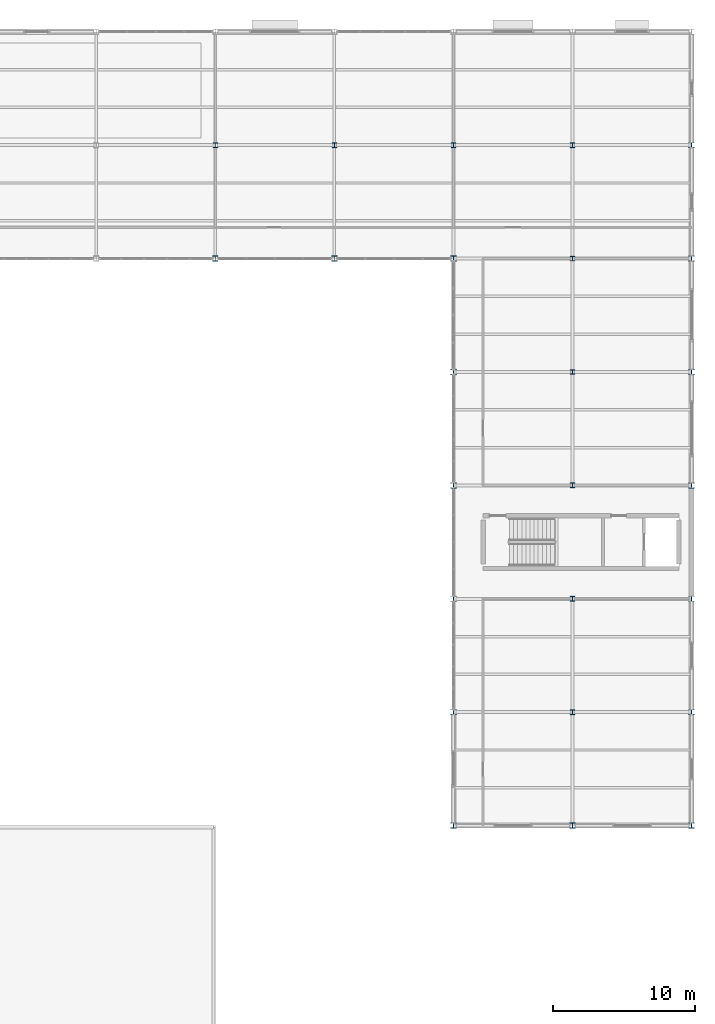
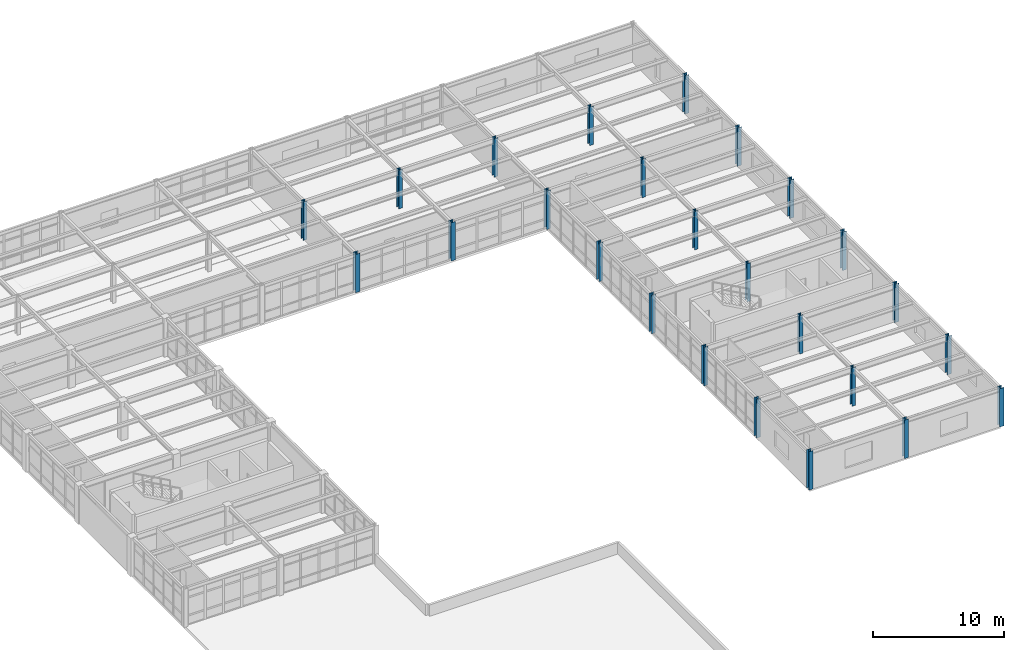
# One storey, part 8 of 96: 25 columns.
"""IFC4 building model written with IfcOpenShell, lengths in metres."""

import ifcopenshell
import ifcopenshell.guid

model = None  # the IFC model being written
_history = None  # IfcOwnerHistory: only IFC2X3 demands one
_inside = {}  # id of a spatial element -> (the spatial element, [elements in it])
_under = {}  # id of a project, library or spatial element -> (it, [spatial elements below it])
_declared = {}  # id of a project -> (the project, [libraries it declares])
_typed = {}  # id of a type object -> (the type object, [elements of that type])
_made_of = {}  # id of a material, layer set ... -> (it, [elements and type objects made of it])


def new_model(schema):
    """Start an empty IFC model of exactly this schema.

    Asked for "IFC4X3", IfcOpenShell would pick the latest addendum, in which some entities
    have other attributes; the version numbers below select the first issue.
    IFC2X3 requires an IfcOwnerHistory on every rooted entity: one is made here for all.
    """
    global model, _history
    if schema == "IFC4X3":
        model = ifcopenshell.file(schema_version=(4, 3, 0, 0))
    else:
        model = ifcopenshell.file(schema=schema)
    _inside.clear()
    _under.clear()
    _declared.clear()
    _typed.clear()
    _made_of.clear()
    _history = None
    if model.schema == "IFC2X3":
        org = make("IfcOrganization", Name="unknown")
        user = make(
            "IfcPersonAndOrganization",
            ThePerson=make("IfcPerson", FamilyName="unknown"),
            TheOrganization=org,
        )
        app = make(
            "IfcApplication",
            ApplicationDeveloper=org,
            Version="unknown",
            ApplicationFullName="unknown",
            ApplicationIdentifier="unknown",
        )
        _history = make(
            "IfcOwnerHistory",
            OwningUser=user,
            OwningApplication=app,
            ChangeAction="ADDED",
            CreationDate=0,
        )
    return model


def make(cls, **values):
    """One entity of the class cls with the attributes given. An attribute that is None is left unset."""
    return model.create_entity(
        cls, **{name: value for name, value in values.items() if value is not None}
    )


def rooted(cls, **values):
    """An entity with a GlobalId (a new one), such as an element, a storey or a relation."""
    return make(cls, GlobalId=ifcopenshell.guid.new(), OwnerHistory=_history, **values)


def si_unit(unit_type, name, prefix=None):
    """IfcSIUnit, for example si_unit("LENGTHUNIT", "METRE", prefix="MILLI")."""
    return make("IfcSIUnit", UnitType=unit_type, Prefix=prefix, Name=name)


def assignment(units):
    """IfcUnitAssignment: the units of a project."""
    return None if units is None else make("IfcUnitAssignment", Units=units)


def point(xyz):
    """IfcCartesianPoint."""
    return None if xyz is None else make("IfcCartesianPoint", Coordinates=xyz)


def direction(xyz):
    """IfcDirection."""
    return None if xyz is None else make("IfcDirection", DirectionRatios=xyz)


def frame(location, z_axis=None, x_axis=None):
    """IfcAxis2Placement3D, a coordinate frame: its origin and axes. An axis left out is left unset."""
    return make(
        "IfcAxis2Placement3D",
        Location=point(location),
        Axis=direction(z_axis),
        RefDirection=direction(x_axis),
    )


def frame_2d(location, x_axis=None):
    """IfcAxis2Placement2D, a coordinate frame in the plane: its origin and x axis."""
    return make(
        "IfcAxis2Placement2D", Location=point(location), RefDirection=direction(x_axis)
    )


def origin():
    """The frame at (0, 0, 0) with its axes left unset."""
    return frame((0.0, 0.0, 0.0))


def origin_2d():
    """The frame at (0, 0) in the plane with its x axis left unset."""
    return frame_2d((0.0, 0.0))


def place(relative_to, where):
    """IfcLocalPlacement: puts the frame where relative to a parent placement (None: the world)."""
    return make(
        "IfcLocalPlacement", PlacementRelTo=relative_to, RelativePlacement=where
    )


def context(
    kind, dimensions, precision=None, world=None, true_north=None, identifier=None
):
    """IfcGeometricRepresentationContext, for example the 3D "Model" context."""
    return make(
        "IfcGeometricRepresentationContext",
        ContextIdentifier=identifier,
        ContextType=kind,
        CoordinateSpaceDimension=dimensions,
        Precision=precision,
        WorldCoordinateSystem=world,
        TrueNorth=true_north,
    )


def subcontext(parent, identifier, kind, view, scale=None):
    """IfcGeometricRepresentationSubContext, for example "Body" below "Model"."""
    return make(
        "IfcGeometricRepresentationSubContext",
        ContextIdentifier=identifier,
        ContextType=kind,
        ParentContext=parent,
        TargetScale=scale,
        TargetView=view,
    )


def project(units=None, contexts=None):
    """IfcProject with its units and contexts."""
    return rooted(
        "IfcProject",
        Name="project",
        RepresentationContexts=contexts,
        UnitsInContext=assignment(units),
    )


def spatial(cls, under=None, at=None, **own):
    """A site, building, storey or space (cls), placed at a placement, below another one or the project."""
    s = rooted(cls, ObjectPlacement=at, **own)
    if under is not None:
        _under.setdefault(under.id(), (under, []))[1].append(s)
    return s


def profile(cls, at=None, kind="AREA", **sizes):
    """A parametric profile (cls). Its sizes go by their IFC names, for example OverallWidth=200.0."""
    return make(cls, ProfileType=kind, Position=at, **sizes)


def i_section(**sizes):
    """IfcIShapeProfileDef."""
    return profile("IfcIShapeProfileDef", **sizes)


def extrude(swept, where, along, depth):
    """IfcExtrudedAreaSolid: the profile swept, set in the frame where, extruded along a direction by depth."""
    return make(
        "IfcExtrudedAreaSolid",
        SweptArea=swept,
        Position=where,
        ExtrudedDirection=direction(along),
        Depth=depth,
    )


def shape(context_of_items, identifier, shape_type, items):
    """IfcShapeRepresentation: the items that make up one representation, for example the "Body"."""
    return make(
        "IfcShapeRepresentation",
        ContextOfItems=context_of_items,
        RepresentationIdentifier=identifier,
        RepresentationType=shape_type,
        Items=items,
    )


def material(Name=None, Category=None):
    """IfcMaterial."""
    return make("IfcMaterial", Name=Name, Category=Category)


def material_profile(
    of_material, cross_section, Name=None, Category=None, Priority=None
):
    """IfcMaterialProfile: a cross section and its material."""
    return make(
        "IfcMaterialProfile",
        Name=Name,
        Material=of_material,
        Profile=cross_section,
        Priority=Priority,
        Category=Category,
    )


def profile_set(profiles, Name=None, composite=None):
    """IfcMaterialProfileSet."""
    return make(
        "IfcMaterialProfileSet",
        Name=Name,
        MaterialProfiles=profiles,
        CompositeProfile=composite,
    )


def made_of(thing, what):
    """Note that an element or type object is made of a material, layer set ...; save() writes the relation."""
    if what is not None:
        _made_of.setdefault(what.id(), (what, []))[1].append(thing)
    return thing


def type_object(cls, material=None, **own):
    """A type object (cls), such as IfcWallType, which elements share."""
    return made_of(rooted(cls, **own), material)


def element(
    cls,
    number,
    at=None,
    inside=None,
    cuts=None,
    type_object=None,
    material=None,
    context=None,
    identifier="Body",
    shape_type=None,
    held_by="IfcProductDefinitionShape",
    body=None,
    shapes=None,
    **own,
):
    """One element of the class cls, such as IfcWall. Its Tag is "e" and its number.

    at: its placement. inside: the storey or other place that contains it. cuts: it is an
    opening in that element (IfcRelVoidsElement). A single representation is given by context,
    identifier, shape_type and body (its items); several are given by shapes. held_by: the class
    of the entity that holds the representations. save() writes the other relations.
    """
    e = rooted(cls, Tag="e%d" % number, ObjectPlacement=at, **own)
    if body is not None:
        shapes = [shape(context, identifier, shape_type, body)]
    if shapes is not None:
        e.Representation = make(held_by, Representations=shapes)
    if inside is not None:
        _inside.setdefault(inside.id(), (inside, []))[1].append(e)
    if cuts is not None:
        rooted(
            "IfcRelVoidsElement", RelatingBuildingElement=cuts, RelatedOpeningElement=e
        )
    if type_object is not None:
        _typed.setdefault(type_object.id(), (type_object, []))[1].append(e)
    return made_of(e, material)


def aggregate(whole, parts):
    """IfcRelAggregates: a whole, such as a stair, and the parts it consists of."""
    return rooted("IfcRelAggregates", RelatingObject=whole, RelatedObjects=parts)


def save(model, path):
    """Write the relations noted so far, then the file.

    IfcRelAggregates (storeys below a building ...), IfcRelContainedInSpatialStructure (elements
    in a storey), IfcRelDefinesByType, IfcRelAssociatesMaterial and IfcRelDeclares: one each for
    every whole, place, type object, material and project.
    """
    for whole, parts in _under.values():
        aggregate(whole, parts)
    for where, things in _inside.values():
        rooted(
            "IfcRelContainedInSpatialStructure",
            RelatedElements=things,
            RelatingStructure=where,
        )
    for kind, things in _typed.values():
        rooted("IfcRelDefinesByType", RelatedObjects=things, RelatingType=kind)
    for what, things in _made_of.values():
        rooted("IfcRelAssociatesMaterial", RelatedObjects=things, RelatingMaterial=what)
    for by, libraries in _declared.values():
        rooted("IfcRelDeclares", RelatingContext=by, RelatedDefinitions=libraries)
    model.write(path)


model = new_model("IFC4")

# Units and contexts
model_context = context("Model", 3, precision=1e-05, world=origin(), true_north=direction((0.0, 1.0)))
body_context = subcontext(model_context, "Body", "Model", "MODEL_VIEW")
ifc_project = project(units=[si_unit("LENGTHUNIT", "METRE"), si_unit("AREAUNIT", "SQUARE_METRE"), si_unit("VOLUMEUNIT", "CUBIC_METRE"), si_unit("PLANEANGLEUNIT", "RADIAN"), si_unit("MASSUNIT", "GRAM", prefix="KILO")], contexts=[model_context])

# Site, building, storey
site_placement = place(None, origin())
site = spatial("IfcSite", under=ifc_project, at=site_placement, CompositionType="ELEMENT")
building_placement = place(site_placement, origin())
building = spatial("IfcBuilding", under=site, at=building_placement, Name="Kranzveld Transit Interchange", CompositionType="ELEMENT")
storey_placement = place(building_placement, frame((0.0, 0.0, 9.52001953125)))
storey = spatial("IfcBuildingStorey", under=building, at=storey_placement, Name="L02", CompositionType="ELEMENT", Elevation=9.52001953125)

# Columns
ifc_material_1 = material(Name="Steel S355JR", Category="steel")
ifc_material_profile_1 = material_profile(ifc_material_1, i_section(OverallWidth=0.314453125, OverallDepth=0.33984375, WebThickness=0.01904296875, FlangeThickness=0.031494140625, FilletRadius=0.01513671875, at=origin_2d()), Name="UC 305x305x198")
ifc_profile_set_1 = profile_set([ifc_material_profile_1], Name="Steel S355JR")
column_type_1 = type_object("IfcColumnType", Name="Column Steel UC 305x305x198 S355JR", PredefinedType="COLUMN", material=ifc_profile_set_1)
for number, where, z_axis, x_axis, name in (
    (1, (134.39990234375, 104.0, 0.0), (0.0, 0.0, 1.0), (1.0, 0.0, 0.0), "L02 Column 17/P"),
    (2, (142.800048828125, 104.0, 0.0), (0.0, 0.0, 1.0), (1.0, 0.0, 0.0), "L02 Column 18/P"),
    (3, (151.199951171875, 104.0, 0.0), (0.0, 0.0, 1.0), (1.0, 0.0, 0.0), "L02 Column 19/P"),
    (4, (159.60009765625, 64.0, 0.0), (0.0, 0.0, 1.0), (1.0, 0.0, 0.0), "L02 Column 20/J"),
    (5, (159.60009765625, 72.0, 0.0), (0.0, 0.0, 1.0), (1.0, 0.0, 0.0), "L02 Column 20/K"),
    (6, (159.60009765625, 80.0, 0.0), (0.0, 0.0, 1.0), (1.0, 0.0, 0.0), "L02 Column 20/L"),
    (7, (159.60009765625, 88.0, 0.0), (0.0, 0.0, 1.0), (1.0, 0.0, 0.0), "L02 Column 20/M"),
    (8, (159.60009765625, 96.0, 0.0), (0.0, 0.0, 1.0), (1.0, 0.0, 0.0), "L02 Column 20/N"),
    (9, (159.60009765625, 104.0, 0.0), (0.0, 0.0, 1.0), (1.0, 0.0, 0.0), "L02 Column 20/P"),
):
    element("IfcColumn", number, at=place(storey_placement, frame(where, z_axis=z_axis, x_axis=x_axis)), inside=storey, type_object=column_type_1, Name=name, PredefinedType="COLUMN", context=body_context, shape_type="SweptSolid", body=[
        extrude(i_section(OverallWidth=0.314453125, OverallDepth=0.33984375, WebThickness=0.01904296875, FlangeThickness=0.031494140625, FilletRadius=0.01513671875, at=origin_2d()), origin(), (0.0, 0.0, 1.0), 3.570068359375),
    ])
ifc_material_2 = material(Name="Steel S355JR", Category="steel")
ifc_material_profile_2 = material_profile(ifc_material_2, i_section(OverallWidth=0.374755859375, OverallDepth=0.37451171875, WebThickness=0.0166015625, FlangeThickness=0.027099609375, FilletRadius=0.01513671875, at=origin_2d()), Name="UC 356x368x202")
ifc_profile_set_2 = profile_set([ifc_material_profile_2], Name="Steel S355JR")
column_type_2 = type_object("IfcColumnType", Name="Column Steel UC 356x368x202 S355JR", PredefinedType="COLUMN", material=ifc_profile_set_2)
for number, where, z_axis, x_axis, name in (
    (10, (134.39990234375, 96.0, 0.0), (0.0, 0.0, 1.0), (1.0, 0.0, 0.0), "L02 Column 17/N"),
    (11, (142.800048828125, 96.0, 0.0), (0.0, 0.0, 1.0), (1.0, 0.0, 0.0), "L02 Column 18/N"),
    (12, (151.199951171875, 56.0, 0.0), (0.0, 0.0, 1.0), (1.0, 0.0, 0.0), "L02 Column 19/H"),
    (13, (151.199951171875, 64.0, 0.0), (0.0, 0.0, 1.0), (1.0, 0.0, 0.0), "L02 Column 19/J"),
    (14, (151.199951171875, 72.0, 0.0), (0.0, 0.0, 1.0), (1.0, 0.0, 0.0), "L02 Column 19/K"),
    (15, (151.199951171875, 80.0, 0.0), (0.0, 0.0, 1.0), (1.0, 0.0, 0.0), "L02 Column 19/L"),
    (16, (151.199951171875, 88.0, 0.0), (0.0, 0.0, 1.0), (1.0, 0.0, 0.0), "L02 Column 19/M"),
    (17, (151.199951171875, 96.0, 0.0), (0.0, 0.0, 1.0), (1.0, 0.0, 0.0), "L02 Column 19/N"),
    (18, (159.60009765625, 56.0, 0.0), (0.0, 0.0, 1.0), (1.0, 0.0, 0.0), "L02 Column 20/H"),
    (19, (168.0, 56.0, 0.0), (0.0, 0.0, 1.0), (1.0, 0.0, 0.0), "L02 Column 21/H"),
    (20, (168.0, 64.0, 0.0), (0.0, 0.0, 1.0), (1.0, 0.0, 0.0), "L02 Column 21/J"),
    (21, (168.0, 72.0, 0.0), (0.0, 0.0, 1.0), (1.0, 0.0, 0.0), "L02 Column 21/K"),
    (22, (168.0, 80.0, 0.0), (0.0, 0.0, 1.0), (1.0, 0.0, 0.0), "L02 Column 21/L"),
    (23, (168.0, 88.0, 0.0), (0.0, 0.0, 1.0), (1.0, 0.0, 0.0), "L02 Column 21/M"),
    (24, (168.0, 96.0, 0.0), (0.0, 0.0, 1.0), (1.0, 0.0, 0.0), "L02 Column 21/N"),
    (25, (168.0, 104.0, 0.0), (0.0, 0.0, 1.0), (1.0, 0.0, 0.0), "L02 Column 21/P"),
):
    element("IfcColumn", number, at=place(storey_placement, frame(where, z_axis=z_axis, x_axis=x_axis)), inside=storey, type_object=column_type_2, Name=name, PredefinedType="COLUMN", context=body_context, shape_type="SweptSolid", body=[
        extrude(i_section(OverallWidth=0.374755859375, OverallDepth=0.37451171875, WebThickness=0.0166015625, FlangeThickness=0.027099609375, FilletRadius=0.01513671875, at=origin_2d()), origin(), (0.0, 0.0, 1.0), 3.570068359375),
    ])

save(model, "model.ifc")
